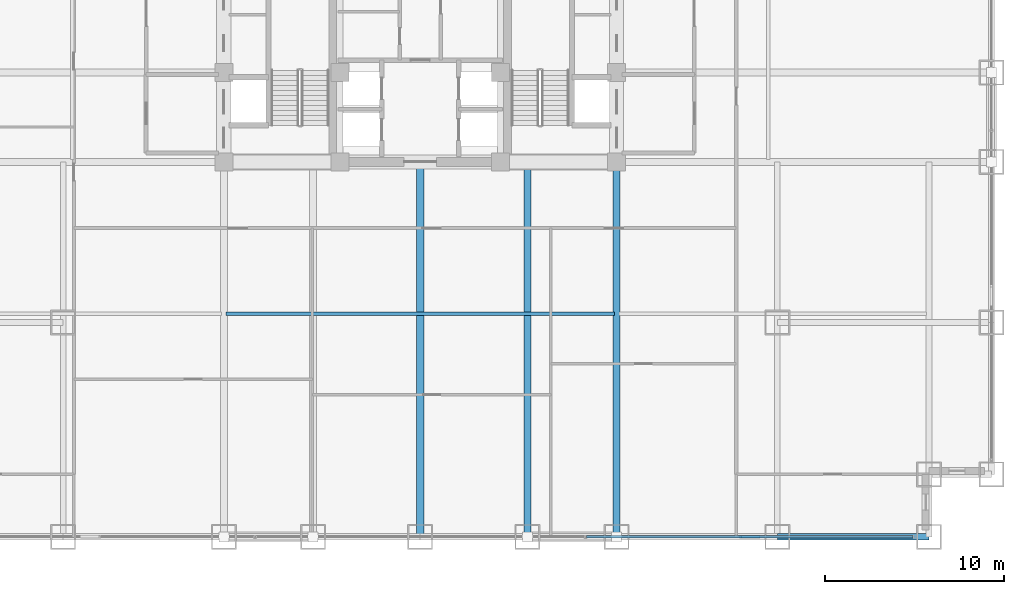
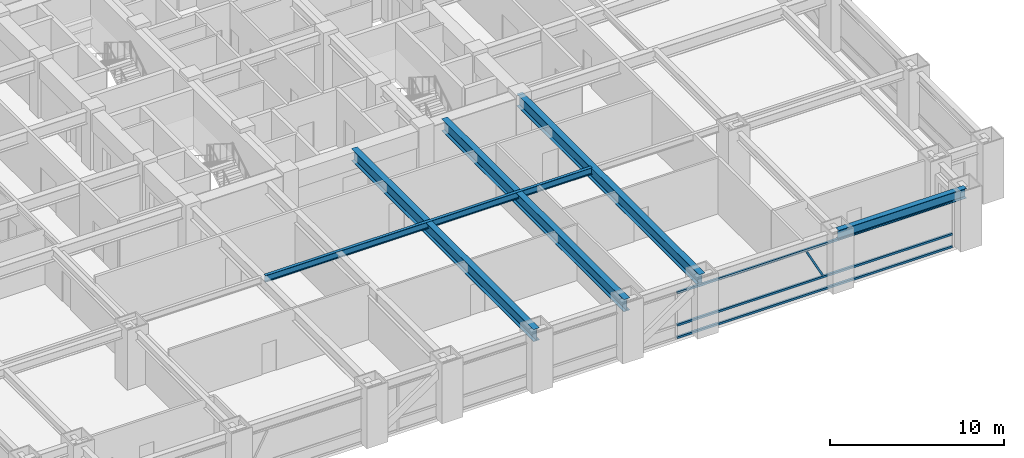
# One storey, part 9 of 28: 5 beams, 4 members, 1 element without a shape of its own.
"""IFC4 building model written with IfcOpenShell, lengths in metres."""

from ifc_helpers import new_model, si_unit, direction, frame, origin, origin_2d, place, context, subcontext, project, spatial, hollow_rectangle, i_section, extrude, source, transform, mapped, material, material_profile, profile_set, type_object, element, aggregate, save


model = new_model("IFC4")

# Units and contexts
model_context = context("Model", 3, precision=1e-05, world=origin(), true_north=direction((0.0, 1.0)))
body_context = subcontext(model_context, "Body", "Model", "MODEL_VIEW")
ifc_project = project(units=[si_unit("LENGTHUNIT", "METRE"), si_unit("AREAUNIT", "SQUARE_METRE"), si_unit("VOLUMEUNIT", "CUBIC_METRE"), si_unit("PLANEANGLEUNIT", "RADIAN"), si_unit("MASSUNIT", "GRAM", prefix="KILO")], contexts=[model_context])

# Site, building, storey
site_placement = place(None, origin())
site = spatial("IfcSite", under=ifc_project, at=site_placement, CompositionType="ELEMENT")
building_placement = place(site_placement, origin())
building = spatial("IfcBuilding", under=site, at=building_placement, Name="Khorayat Bourse Tower", CompositionType="ELEMENT")
storey_placement = place(building_placement, frame((0.0, 0.0, 62.0)))
storey = spatial("IfcBuildingStorey", under=building, at=storey_placement, Name="L13", CompositionType="ELEMENT", Elevation=62.0)

# Beams
ifc_material_1 = material(Name="Steel ASTM A992 Grade 50", Category="steel")
ifc_material_profile_1 = material_profile(ifc_material_1, i_section(OverallWidth=0.35498046875, OverallDepth=0.695068359375, WebThickness=0.015380859375, FlangeThickness=0.02490234375, FilletRadius=0.01806640625, at=origin_2d()), Name="W690X217")
ifc_profile_set_1 = profile_set([ifc_material_profile_1], Name="Steel ASTM A992 Grade 50")
beam_type_1 = type_object("IfcBeamType", Name="BM-SPAN-690", PredefinedType="SPANDREL", material=ifc_profile_set_1)
shared_shape_1 = source(origin(), body_context, "Body", "SweptSolid", [
    extrude(i_section(OverallWidth=0.35498046875, OverallDepth=0.695068359375, WebThickness=0.015380859375, FlangeThickness=0.02490234375, FilletRadius=0.01806640625, at=origin_2d()), origin(), (0.0, 0.0, 1.0), 8.5),
])
beam_1_placement = place(storey_placement, frame((20.0, -32.0, 3.592529296875), z_axis=(1.0, 0.0, 0.0), x_axis=(0.0, 1.0, 0.0)))
element("IfcBeam", 1, at=beam_1_placement, inside=storey, type_object=beam_type_1, Name="L13 BM-SPAN-690 BM-L13-SPN-031", PredefinedType="SPANDREL", context=body_context, shape_type="MappedRepresentation", body=[
    mapped(shared_shape_1, transform((0.0, 0.0, 0.0), scale=1.0)),
])
ifc_material_profile_2 = material_profile(ifc_material_1, i_section(OverallWidth=0.39990234375, OverallDepth=0.85498046875, WebThickness=0.018310546875, FlangeThickness=0.029296875, FilletRadius=0.02001953125, at=origin_2d()), Name="W840X299")
ifc_profile_set_2 = profile_set([ifc_material_profile_2], Name="Steel ASTM A992 Grade 50")
beam_type_2 = type_object("IfcBeamType", Name="BM-GIRD-840", PredefinedType="BEAM", material=ifc_profile_set_2)
shared_shape_2 = source(origin(), body_context, "Body", "SweptSolid", [
    extrude(i_section(OverallWidth=0.39990234375, OverallDepth=0.85498046875, WebThickness=0.018310546875, FlangeThickness=0.029296875, FilletRadius=0.02001953125, at=origin_2d()), origin(), (0.0, 0.0, 1.0), 21.0),
])
for number, where, z_axis, x_axis, name in (
    (2, (0.0, -32.0, 3.512451171875), (0.0, 1.0, 0.0), (-1.0, 0.0, 0.0), "L13 BM-GIRD-840 BM-L13-RADY-069"),
    (3, (6.0, -32.0, 3.512451171875), (0.0, 1.0, 0.0), (-1.0, 0.0, 0.0), "L13 BM-GIRD-840 BM-L13-RADY-071"),
    (4, (11.0, -32.0, 3.512451171875), (0.0, 1.0, 0.0), (-1.0, 0.0, 0.0), "L13 BM-GIRD-840 BM-L13-RADY-073"),
):
    element("IfcBeam", number, at=place(storey_placement, frame(where, z_axis=z_axis, x_axis=x_axis)), inside=storey, type_object=beam_type_2, Name=name, PredefinedType="BEAM", context=body_context, shape_type="MappedRepresentation", body=[
        mapped(shared_shape_2, transform((0.0, 0.0, 0.0), scale=1.0)),
    ])
ifc_material_profile_3 = material_profile(ifc_material_1, i_section(OverallWidth=0.194091796875, OverallDepth=0.468994140625, WebThickness=0.0126953125, FlangeThickness=0.0205078125, FilletRadius=0.012939453125, at=origin_2d()), Name="W460X106")
ifc_profile_set_3 = profile_set([ifc_material_profile_3], Name="Steel ASTM A992 Grade 50")
beam_type_3 = type_object("IfcBeamType", Name="BM-JOIST-460", PredefinedType="JOIST", material=ifc_profile_set_3)
shared_shape_3 = source(origin(), body_context, "Body", "SweptSolid", [
    extrude(i_section(OverallWidth=0.194091796875, OverallDepth=0.468994140625, WebThickness=0.0126953125, FlangeThickness=0.0205078125, FilletRadius=0.012939453125, at=origin_2d()), origin(), (0.0, 0.0, 1.0), 21.740234375),
])
beam_2_placement = place(storey_placement, frame((-10.8701171875, -19.5, 3.70556640625), z_axis=(1.0, 0.0, 0.0), x_axis=(0.0, 1.0, 0.0)))
element("IfcBeam", 5, at=beam_2_placement, inside=storey, type_object=beam_type_3, Name="L13 BM-JOIST-460 BM-L13-JSTX-097", PredefinedType="JOIST", context=body_context, shape_type="MappedRepresentation", body=[
    mapped(shared_shape_3, transform((0.0, 0.0, 0.0), scale=1.0)),
])

# Curtain wall, members
ifc_material_2 = material(Name="Aluminium EN AW-6063 T6", Category="aluminium")
curtain_wall_type = type_object("IfcCurtainWallType", Name="CW-SYS-02", PredefinedType="NOTDEFINED", material=ifc_material_2)
curtain_wall_placement = place(storey_placement, origin())
curtain_wall = element("IfcCurtainWall", 6, at=curtain_wall_placement, inside=storey, type_object=curtain_wall_type, Name="L13 Curtain Wall CW-L13-S1", PredefinedType="NOTDEFINED")
ifc_material_profile_4 = material_profile(ifc_material_2, hollow_rectangle(XDim=0.139892578125, YDim=0.139892578125, WallThickness=0.006103515625, at=origin_2d()), Name="ALU 140x140x6")
ifc_profile_set_4 = profile_set([ifc_material_profile_4], Name="Aluminium EN AW-6063 T6")
member_type_1 = type_object("IfcMemberType", Name="CWT-HORZ-140", PredefinedType="USERDEFINED", material=ifc_profile_set_4)
shared_shape_4 = source(origin(), body_context, "Body", "SweptSolid", [
    extrude(hollow_rectangle(XDim=0.139892578125, YDim=0.139892578125, WallThickness=0.006103515625, at=origin_2d()), origin(), (0.0, 0.0, 1.0), 18.2900390625),
])
member_1_placement = place(storey_placement, frame((9.320068359375, -32.0, 0.070068359375), z_axis=(1.0, 0.0, 0.0), x_axis=(0.0, 1.0, 0.0)))
member_1 = element("IfcMember", 7, at=member_1_placement, type_object=member_type_1, Name="CW-L13-S1 Horizontal Transom 3-1", ObjectType="TRANSOM", PredefinedType="USERDEFINED", context=body_context, shape_type="MappedRepresentation", body=[
    mapped(shared_shape_4, transform((0.0, 0.0, 0.0), scale=1.0)),
])
member_2_placement = place(storey_placement, frame((9.320068359375, -32.0, 0.949951171875), z_axis=(1.0, 0.0, 0.0), x_axis=(0.0, 1.0, 0.0)))
member_2 = element("IfcMember", 8, at=member_2_placement, type_object=member_type_1, Name="CW-L13-S1 Horizontal Transom 3-2", ObjectType="TRANSOM", PredefinedType="USERDEFINED", context=body_context, shape_type="MappedRepresentation", body=[
    mapped(shared_shape_4, transform((0.0, 0.0, 0.0), scale=1.0)),
])
member_3_placement = place(storey_placement, frame((9.320068359375, -32.0, 3.219970703125), z_axis=(1.0, 0.0, 0.0), x_axis=(0.0, 1.0, 0.0)))
member_3 = element("IfcMember", 9, at=member_3_placement, type_object=member_type_1, Name="CW-L13-S1 Horizontal Transom 3-3", ObjectType="TRANSOM", PredefinedType="USERDEFINED", context=body_context, shape_type="MappedRepresentation", body=[
    mapped(shared_shape_4, transform((0.0, 0.0, 0.0), scale=1.0)),
])
ifc_material_profile_5 = material_profile(ifc_material_2, hollow_rectangle(XDim=0.1201171875, YDim=0.1201171875, WallThickness=0.0048828125, at=origin_2d()), Name="ALU 120x120x5")
ifc_profile_set_5 = profile_set([ifc_material_profile_5], Name="Aluminium EN AW-6063 T6")
member_type_2 = type_object("IfcMemberType", Name="CWM-DIAG-120", PredefinedType="MULLION", material=ifc_profile_set_5)
shared_shape_5 = source(origin(), body_context, "Body", "SweptSolid", [
    extrude(hollow_rectangle(XDim=0.1201171875, YDim=0.1201171875, WallThickness=0.0048828125, at=origin_2d()), origin(), (0.0, 0.0, 1.0), 2.22607421875),
])
member_4_placement = place(storey_placement, frame((18.9833984375, -32.0, 1.10009765625), z_axis=(-0.465759992596, 0.0, 0.884911085532), x_axis=(0.0, -1.0, 0.0)))
member_4 = element("IfcMember", 10, at=member_4_placement, type_object=member_type_2, Name="CW-L13-S1 Faceted Diagonal Mullion 3", PredefinedType="MULLION", context=body_context, shape_type="MappedRepresentation", body=[
    mapped(shared_shape_5, transform((0.0, 0.0, 0.0), scale=1.0)),
])
aggregate(curtain_wall, [member_1, member_2, member_3, member_4])

save(model, "model.ifc")
